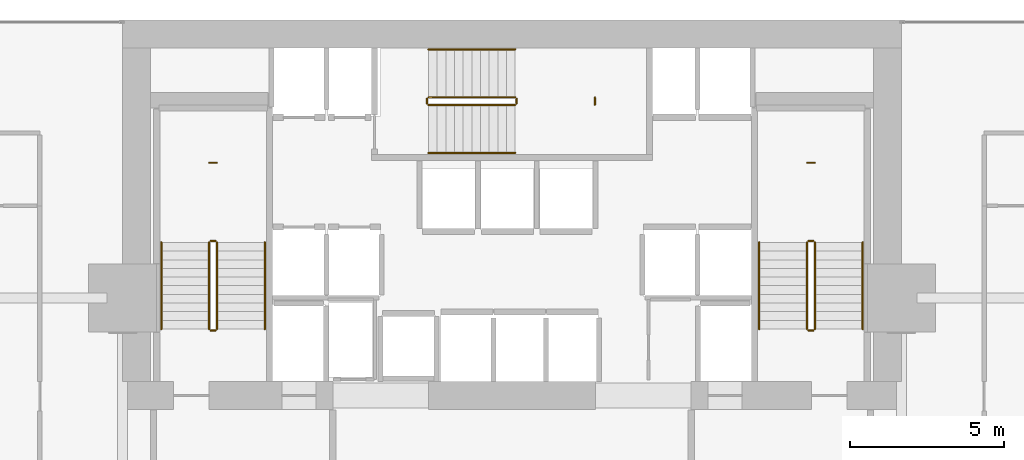
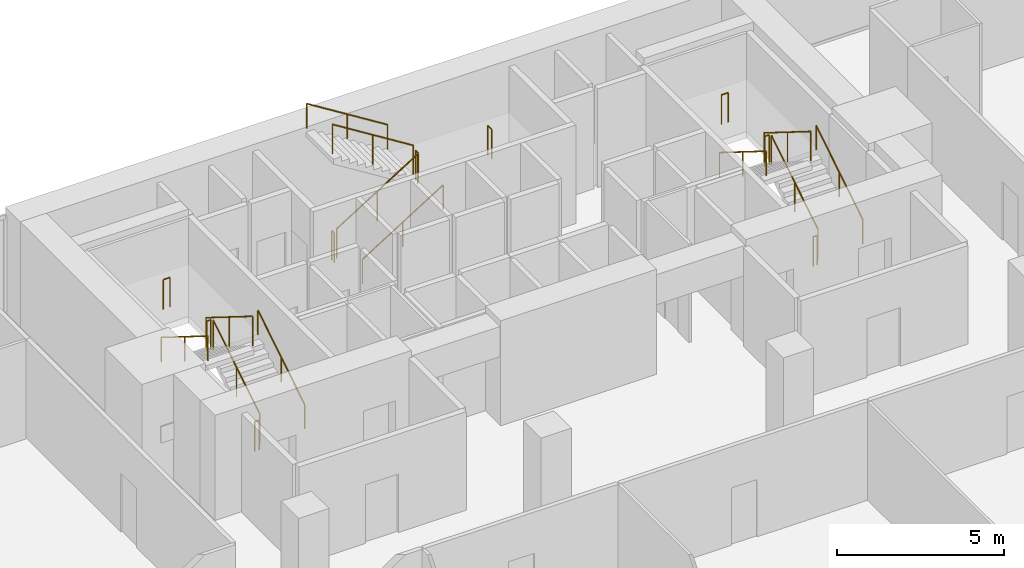
# One storey, part 39 of 39: 21 railings.
"""IFC4 building model written with IfcOpenShell, lengths in metres."""

from ifc_helpers import new_model, si_unit, direction, frame, origin, origin_2d, place, context, subcontext, project, spatial, circle, extrude, material, type_object, element, save


model = new_model("IFC4")

# Units and contexts
model_context = context("Model", 3, precision=1e-05, world=origin(), true_north=direction((0.0, 1.0)))
body_context = subcontext(model_context, "Body", "Model", "MODEL_VIEW")
ifc_project = project(units=[si_unit("LENGTHUNIT", "METRE"), si_unit("AREAUNIT", "SQUARE_METRE"), si_unit("VOLUMEUNIT", "CUBIC_METRE"), si_unit("PLANEANGLEUNIT", "RADIAN"), si_unit("MASSUNIT", "GRAM", prefix="KILO")], contexts=[model_context])

# Site, building, storey
site_placement = place(None, origin())
site = spatial("IfcSite", under=ifc_project, at=site_placement, CompositionType="ELEMENT")
building_placement = place(site_placement, origin())
building = spatial("IfcBuilding", under=site, at=building_placement, Name="Maruvema Waterfront Hotel and Observation Tower", CompositionType="ELEMENT")
storey_placement = place(building_placement, frame((0.0, 0.0, 69.300048828125)))
storey = spatial("IfcBuildingStorey", under=building, at=storey_placement, Name="L16", CompositionType="ELEMENT", Elevation=69.300048828125)

# Railings
ifc_material_1 = material(Name="Brushed stainless steel Grade 316", Category="steel")
railing_type_1 = type_object("IfcRailingType", Name="Ramp Continuous Wall Handrail 920 mm", PredefinedType="HANDRAIL", material=ifc_material_1)
railing_1_placement = place(storey_placement, frame((29.800048828125, 44.0, 0.175048828125)))
element("IfcRailing", 1, at=railing_1_placement, inside=storey, type_object=railing_type_1, Name="L16 ST-01 stair handrail 1", PredefinedType="HANDRAIL", context=body_context, shape_type="SweptSolid", body=[
    extrude(circle(Radius=0.02392578125, at=origin_2d()), frame((0.0, 0.0, 0.89599609375), z_axis=(0.0, 0.848002457836, 0.529992293815), x_axis=(-1.0, 0.0, 0.0)), (0.0, 0.0, 1.0), 3.302001953125),
    extrude(circle(Radius=0.02099609375, at=origin_2d()), origin(), (0.0, 0.0, 1.0), 0.871826171875),
    extrude(circle(Radius=0.02099609375, at=origin_2d()), frame((0.0, 1.39990234375, 0.875)), (0.0, 0.0, 1.0), 0.871826171875),
    extrude(circle(Radius=0.02099609375, at=origin_2d()), frame((0.0, 2.800048828125, 1.75)), (0.0, 0.0, 1.0), 0.871826171875),
])
railing_2_placement = place(storey_placement, frame((26.449951171875, 46.800048828125, 2.099853515625)))
element("IfcRailing", 2, at=railing_2_placement, inside=storey, type_object=railing_type_1, Name="L16 ST-01 stair handrail 2", PredefinedType="HANDRAIL", context=body_context, shape_type="SweptSolid", body=[
    extrude(circle(Radius=0.02392578125, at=origin_2d()), frame((0.0, 0.0, 0.89599609375), z_axis=(0.0, -0.848002457836, 0.529992293815), x_axis=(1.0, 0.0, 0.0)), (0.0, 0.0, 1.0), 3.302001953125),
    extrude(circle(Radius=0.02099609375, at=origin_2d()), origin(), (0.0, 0.0, 1.0), 0.871826171875),
    extrude(circle(Radius=0.02099609375, at=origin_2d()), frame((0.0, -1.39990234375, 0.875)), (0.0, 0.0, 1.0), 0.871826171875),
    extrude(circle(Radius=0.02099609375, at=origin_2d()), frame((0.0, -2.800048828125, 1.75)), (0.0, 0.0, 1.0), 0.871826171875),
])
railing_3_placement = place(storey_placement, frame((35.10009765625, 49.699951171875, 0.175048828125)))
element("IfcRailing", 3, at=railing_3_placement, inside=storey, type_object=railing_type_1, Name="L16 ST-02 stair handrail 1", PredefinedType="HANDRAIL", context=body_context, shape_type="SweptSolid", body=[
    extrude(circle(Radius=0.02392578125, at=origin_2d()), frame((0.0, 0.0, 0.89599609375), z_axis=(0.847981687118, 0.0, 0.530025526095), x_axis=(0.0, 1.0, 0.0)), (0.0, 0.0, 1.0), 3.3017578125),
    extrude(circle(Radius=0.02099609375, at=origin_2d()), origin(), (0.0, 0.0, 1.0), 0.871826171875),
    extrude(circle(Radius=0.02099609375, at=origin_2d()), frame((1.39990234375, 0.0, 0.875)), (0.0, 0.0, 1.0), 0.871826171875),
    extrude(circle(Radius=0.02099609375, at=origin_2d()), frame((2.7998046875, 0.0, 1.75)), (0.0, 0.0, 1.0), 0.871826171875),
])
railing_4_placement = place(storey_placement, frame((37.89990234375, 53.050048828125, 2.099853515625)))
element("IfcRailing", 4, at=railing_4_placement, inside=storey, type_object=railing_type_1, Name="L16 ST-02 stair handrail 2", PredefinedType="HANDRAIL", context=body_context, shape_type="SweptSolid", body=[
    extrude(circle(Radius=0.02392578125, at=origin_2d()), frame((0.0, 0.0, 0.89599609375), z_axis=(-0.847981687118, 0.0, 0.530025526095), x_axis=(0.0, -1.0, 0.0)), (0.0, 0.0, 1.0), 3.3017578125),
    extrude(circle(Radius=0.02099609375, at=origin_2d()), origin(), (0.0, 0.0, 1.0), 0.871826171875),
    extrude(circle(Radius=0.02099609375, at=origin_2d()), frame((-1.39990234375, 0.0, 0.875)), (0.0, 0.0, 1.0), 0.871826171875),
    extrude(circle(Radius=0.02099609375, at=origin_2d()), frame((-2.7998046875, 0.0, 1.75)), (0.0, 0.0, 1.0), 0.871826171875),
])
railing_5_placement = place(storey_placement, frame((49.14990234375, 44.0, 0.175048828125)))
element("IfcRailing", 5, at=railing_5_placement, inside=storey, type_object=railing_type_1, Name="L16 ST-03 stair handrail 1", PredefinedType="HANDRAIL", context=body_context, shape_type="SweptSolid", body=[
    extrude(circle(Radius=0.02392578125, at=origin_2d()), frame((0.0, 0.0, 0.89599609375), z_axis=(0.0, 0.848002457836, 0.529992293815), x_axis=(-1.0, 0.0, 0.0)), (0.0, 0.0, 1.0), 3.302001953125),
    extrude(circle(Radius=0.02099609375, at=origin_2d()), origin(), (0.0, 0.0, 1.0), 0.871826171875),
    extrude(circle(Radius=0.02099609375, at=origin_2d()), frame((0.0, 1.39990234375, 0.875)), (0.0, 0.0, 1.0), 0.871826171875),
    extrude(circle(Radius=0.02099609375, at=origin_2d()), frame((0.0, 2.800048828125, 1.75)), (0.0, 0.0, 1.0), 0.871826171875),
])
railing_6_placement = place(storey_placement, frame((45.800048828125, 46.800048828125, 2.099853515625)))
element("IfcRailing", 6, at=railing_6_placement, inside=storey, type_object=railing_type_1, Name="L16 ST-03 stair handrail 2", PredefinedType="HANDRAIL", context=body_context, shape_type="SweptSolid", body=[
    extrude(circle(Radius=0.02392578125, at=origin_2d()), frame((0.0, 0.0, 0.89599609375), z_axis=(0.0, -0.848002457836, 0.529992293815), x_axis=(1.0, 0.0, 0.0)), (0.0, 0.0, 1.0), 3.302001953125),
    extrude(circle(Radius=0.02099609375, at=origin_2d()), origin(), (0.0, 0.0, 1.0), 0.871826171875),
    extrude(circle(Radius=0.02099609375, at=origin_2d()), frame((0.0, -1.39990234375, 0.875)), (0.0, 0.0, 1.0), 0.871826171875),
    extrude(circle(Radius=0.02099609375, at=origin_2d()), frame((0.0, -2.800048828125, 1.75)), (0.0, 0.0, 1.0), 0.871826171875),
])
ifc_material_2 = material(Name="Brushed stainless steel Grade 316", Category="steel")
railing_type_2 = type_object("IfcRailingType", Name="Ramp and Terrace Guard Balustrade 1100 mm", PredefinedType="BALUSTRADE", material=ifc_material_2)
railing_7_placement = place(storey_placement, frame((28.25, 44.0, 0.175048828125)))
element("IfcRailing", 7, at=railing_7_placement, inside=storey, type_object=railing_type_2, Name="L16 ST-01 stair guard 1", PredefinedType="BALUSTRADE", context=body_context, shape_type="SweptSolid", body=[
    extrude(circle(Radius=0.02392578125, at=origin_2d()), frame((0.0, 0.0, 1.076171875), z_axis=(0.0, 0.848002457836, 0.529992293815), x_axis=(-1.0, 0.0, 0.0)), (0.0, 0.0, 1.0), 3.302001953125),
    extrude(circle(Radius=0.02099609375, at=origin_2d()), origin(), (0.0, 0.0, 1.0), 1.052001953125),
    extrude(circle(Radius=0.02099609375, at=origin_2d()), frame((0.0, 1.39990234375, 0.875)), (0.0, 0.0, 1.0), 1.052001953125),
    extrude(circle(Radius=0.02099609375, at=origin_2d()), frame((0.0, 2.800048828125, 1.75)), (0.0, 0.0, 1.0), 1.052001953125),
])
railing_8_placement = place(storey_placement, frame((28.199951171875, 46.85009765625, 1.925048828125)))
element("IfcRailing", 8, at=railing_8_placement, inside=storey, type_object=railing_type_2, Name="L16 ST-01 stair guard 2", PredefinedType="BALUSTRADE", context=body_context, shape_type="SweptSolid", body=[
    extrude(circle(Radius=0.02392578125, at=origin_2d()), frame((0.0, 0.0, 1.076171875), z_axis=(-1.0, 0.0, 0.0), x_axis=(0.0, -1.0, 0.0)), (0.0, 0.0, 1.0), 0.14990234375),
    extrude(circle(Radius=0.02099609375, at=origin_2d()), origin(), (0.0, 0.0, 1.0), 1.052001953125),
    extrude(circle(Radius=0.02099609375, at=origin_2d()), frame((-0.14990234375, 0.0, 0.0)), (0.0, 0.0, 1.0), 1.052001953125),
])
railing_9_placement = place(storey_placement, frame((28.0, 46.800048828125, 2.099853515625)))
element("IfcRailing", 9, at=railing_9_placement, inside=storey, type_object=railing_type_2, Name="L16 ST-01 stair guard 3", PredefinedType="BALUSTRADE", context=body_context, shape_type="SweptSolid", body=[
    extrude(circle(Radius=0.02392578125, at=origin_2d()), frame((0.0, 0.0, 1.076171875), z_axis=(0.0, -0.848002457836, 0.529992293815), x_axis=(1.0, 0.0, 0.0)), (0.0, 0.0, 1.0), 3.302001953125),
    extrude(circle(Radius=0.02099609375, at=origin_2d()), origin(), (0.0, 0.0, 1.0), 1.052001953125),
    extrude(circle(Radius=0.02099609375, at=origin_2d()), frame((0.0, -1.39990234375, 0.875)), (0.0, 0.0, 1.0), 1.052001953125),
    extrude(circle(Radius=0.02099609375, at=origin_2d()), frame((0.0, -2.800048828125, 1.75)), (0.0, 0.0, 1.0), 1.052001953125),
])
railing_10_placement = place(storey_placement, frame((28.199951171875, 43.949951171875, 0.0)))
element("IfcRailing", 10, at=railing_10_placement, inside=storey, type_object=railing_type_2, Name="L16 ST-01 stair guard 4", PredefinedType="BALUSTRADE", context=body_context, shape_type="SweptSolid", body=[
    extrude(circle(Radius=0.02392578125, at=origin_2d()), frame((0.0, 0.0, 1.076171875), z_axis=(-1.0, 0.0, 0.0), x_axis=(0.0, -1.0, 0.0)), (0.0, 0.0, 1.0), 0.14990234375),
    extrude(circle(Radius=0.02099609375, at=origin_2d()), origin(), (0.0, 0.0, 1.0), 1.052001953125),
    extrude(circle(Radius=0.02099609375, at=origin_2d()), frame((-0.14990234375, 0.0, 0.0)), (0.0, 0.0, 1.0), 1.052001953125),
])
railing_11_placement = place(storey_placement, frame((28.239990234375, 49.3798828125, 1.925048828125)))
element("IfcRailing", 11, at=railing_11_placement, inside=storey, type_object=railing_type_2, Name="L16 ST-01 Half-Landing Slot Guard", PredefinedType="BALUSTRADE", context=body_context, shape_type="SweptSolid", body=[
    extrude(circle(Radius=0.02392578125, at=origin_2d()), frame((0.0, 0.0, 1.076171875), z_axis=(-1.0, 0.0, 0.0), x_axis=(0.0, -1.0, 0.0)), (0.0, 0.0, 1.0), 0.22998046875),
    extrude(circle(Radius=0.02099609375, at=origin_2d()), origin(), (0.0, 0.0, 1.0), 1.052001953125),
    extrude(circle(Radius=0.02099609375, at=origin_2d()), frame((-0.22998046875, 0.0, 0.0)), (0.0, 0.0, 1.0), 1.052001953125),
])
railing_12_placement = place(storey_placement, frame((35.10009765625, 51.25, 0.175048828125)))
element("IfcRailing", 12, at=railing_12_placement, inside=storey, type_object=railing_type_2, Name="L16 ST-02 stair guard 1", PredefinedType="BALUSTRADE", context=body_context, shape_type="SweptSolid", body=[
    extrude(circle(Radius=0.02392578125, at=origin_2d()), frame((0.0, 0.0, 1.076171875), z_axis=(0.847981687118, 0.0, 0.530025526095), x_axis=(0.0, 1.0, 0.0)), (0.0, 0.0, 1.0), 3.3017578125),
    extrude(circle(Radius=0.02099609375, at=origin_2d()), origin(), (0.0, 0.0, 1.0), 1.052001953125),
    extrude(circle(Radius=0.02099609375, at=origin_2d()), frame((1.39990234375, 0.0, 0.875)), (0.0, 0.0, 1.0), 1.052001953125),
    extrude(circle(Radius=0.02099609375, at=origin_2d()), frame((2.7998046875, 0.0, 1.75)), (0.0, 0.0, 1.0), 1.052001953125),
])
railing_13_placement = place(storey_placement, frame((37.949951171875, 51.300048828125, 1.925048828125)))
element("IfcRailing", 13, at=railing_13_placement, inside=storey, type_object=railing_type_2, Name="L16 ST-02 stair guard 2", PredefinedType="BALUSTRADE", context=body_context, shape_type="SweptSolid", body=[
    extrude(circle(Radius=0.02392578125, at=origin_2d()), frame((0.0, 0.0, 1.076171875), z_axis=(0.0, 1.0, 0.0), x_axis=(-1.0, 0.0, 0.0)), (0.0, 0.0, 1.0), 0.14990234375),
    extrude(circle(Radius=0.02099609375, at=origin_2d()), origin(), (0.0, 0.0, 1.0), 1.052001953125),
    extrude(circle(Radius=0.02099609375, at=origin_2d()), frame((0.0, 0.14990234375, 0.0)), (0.0, 0.0, 1.0), 1.052001953125),
])
railing_14_placement = place(storey_placement, frame((37.89990234375, 51.5, 2.099853515625)))
element("IfcRailing", 14, at=railing_14_placement, inside=storey, type_object=railing_type_2, Name="L16 ST-02 stair guard 3", PredefinedType="BALUSTRADE", context=body_context, shape_type="SweptSolid", body=[
    extrude(circle(Radius=0.02392578125, at=origin_2d()), frame((0.0, 0.0, 1.076171875), z_axis=(-0.847981687118, 0.0, 0.530025526095), x_axis=(0.0, -1.0, 0.0)), (0.0, 0.0, 1.0), 3.3017578125),
    extrude(circle(Radius=0.02099609375, at=origin_2d()), origin(), (0.0, 0.0, 1.0), 1.052001953125),
    extrude(circle(Radius=0.02099609375, at=origin_2d()), frame((-1.39990234375, 0.0, 0.875)), (0.0, 0.0, 1.0), 1.052001953125),
    extrude(circle(Radius=0.02099609375, at=origin_2d()), frame((-2.7998046875, 0.0, 1.75)), (0.0, 0.0, 1.0), 1.052001953125),
])
railing_15_placement = place(storey_placement, frame((35.050048828125, 51.300048828125, 0.0)))
element("IfcRailing", 15, at=railing_15_placement, inside=storey, type_object=railing_type_2, Name="L16 ST-02 stair guard 4", PredefinedType="BALUSTRADE", context=body_context, shape_type="SweptSolid", body=[
    extrude(circle(Radius=0.02392578125, at=origin_2d()), frame((0.0, 0.0, 1.076171875), z_axis=(0.0, 1.0, 0.0), x_axis=(-1.0, 0.0, 0.0)), (0.0, 0.0, 1.0), 0.14990234375),
    extrude(circle(Radius=0.02099609375, at=origin_2d()), origin(), (0.0, 0.0, 1.0), 1.052001953125),
    extrude(circle(Radius=0.02099609375, at=origin_2d()), frame((0.0, 0.14990234375, 0.0)), (0.0, 0.0, 1.0), 1.052001953125),
])
railing_16_placement = place(storey_placement, frame((40.47998046875, 51.260009765625, 1.925048828125)))
element("IfcRailing", 16, at=railing_16_placement, inside=storey, type_object=railing_type_2, Name="L16 ST-02 Half-Landing Slot Guard", PredefinedType="BALUSTRADE", context=body_context, shape_type="SweptSolid", body=[
    extrude(circle(Radius=0.02392578125, at=origin_2d()), frame((0.0, 0.0, 1.076171875), z_axis=(0.0, 1.0, 0.0), x_axis=(-1.0, 0.0, 0.0)), (0.0, 0.0, 1.0), 0.22998046875),
    extrude(circle(Radius=0.02099609375, at=origin_2d()), origin(), (0.0, 0.0, 1.0), 1.052001953125),
    extrude(circle(Radius=0.02099609375, at=origin_2d()), frame((0.0, 0.22998046875, 0.0)), (0.0, 0.0, 1.0), 1.052001953125),
])
railing_17_placement = place(storey_placement, frame((47.60009765625, 44.0, 0.175048828125)))
element("IfcRailing", 17, at=railing_17_placement, inside=storey, type_object=railing_type_2, Name="L16 ST-03 stair guard 1", PredefinedType="BALUSTRADE", context=body_context, shape_type="SweptSolid", body=[
    extrude(circle(Radius=0.02392578125, at=origin_2d()), frame((0.0, 0.0, 1.076171875), z_axis=(0.0, 0.848002457836, 0.529992293815), x_axis=(-1.0, 0.0, 0.0)), (0.0, 0.0, 1.0), 3.302001953125),
    extrude(circle(Radius=0.02099609375, at=origin_2d()), origin(), (0.0, 0.0, 1.0), 1.052001953125),
    extrude(circle(Radius=0.02099609375, at=origin_2d()), frame((0.0, 1.39990234375, 0.875)), (0.0, 0.0, 1.0), 1.052001953125),
    extrude(circle(Radius=0.02099609375, at=origin_2d()), frame((0.0, 2.800048828125, 1.75)), (0.0, 0.0, 1.0), 1.052001953125),
])
railing_18_placement = place(storey_placement, frame((47.550048828125, 46.85009765625, 1.925048828125)))
element("IfcRailing", 18, at=railing_18_placement, inside=storey, type_object=railing_type_2, Name="L16 ST-03 stair guard 2", PredefinedType="BALUSTRADE", context=body_context, shape_type="SweptSolid", body=[
    extrude(circle(Radius=0.02392578125, at=origin_2d()), frame((0.0, 0.0, 1.076171875), z_axis=(-1.0, 0.0, 0.0), x_axis=(0.0, -1.0, 0.0)), (0.0, 0.0, 1.0), 0.150146484375),
    extrude(circle(Radius=0.02099609375, at=origin_2d()), origin(), (0.0, 0.0, 1.0), 1.052001953125),
    extrude(circle(Radius=0.02099609375, at=origin_2d()), frame((-0.150146484375, 0.0, 0.0)), (0.0, 0.0, 1.0), 1.052001953125),
])
railing_19_placement = place(storey_placement, frame((47.35009765625, 46.800048828125, 2.099853515625)))
element("IfcRailing", 19, at=railing_19_placement, inside=storey, type_object=railing_type_2, Name="L16 ST-03 stair guard 3", PredefinedType="BALUSTRADE", context=body_context, shape_type="SweptSolid", body=[
    extrude(circle(Radius=0.02392578125, at=origin_2d()), frame((0.0, 0.0, 1.076171875), z_axis=(0.0, -0.848002457836, 0.529992293815), x_axis=(1.0, 0.0, 0.0)), (0.0, 0.0, 1.0), 3.302001953125),
    extrude(circle(Radius=0.02099609375, at=origin_2d()), origin(), (0.0, 0.0, 1.0), 1.052001953125),
    extrude(circle(Radius=0.02099609375, at=origin_2d()), frame((0.0, -1.39990234375, 0.875)), (0.0, 0.0, 1.0), 1.052001953125),
    extrude(circle(Radius=0.02099609375, at=origin_2d()), frame((0.0, -2.800048828125, 1.75)), (0.0, 0.0, 1.0), 1.052001953125),
])
railing_20_placement = place(storey_placement, frame((47.550048828125, 43.949951171875, 0.0)))
element("IfcRailing", 20, at=railing_20_placement, inside=storey, type_object=railing_type_2, Name="L16 ST-03 stair guard 4", PredefinedType="BALUSTRADE", context=body_context, shape_type="SweptSolid", body=[
    extrude(circle(Radius=0.02392578125, at=origin_2d()), frame((0.0, 0.0, 1.076171875), z_axis=(-1.0, 0.0, 0.0), x_axis=(0.0, -1.0, 0.0)), (0.0, 0.0, 1.0), 0.150146484375),
    extrude(circle(Radius=0.02099609375, at=origin_2d()), origin(), (0.0, 0.0, 1.0), 1.052001953125),
    extrude(circle(Radius=0.02099609375, at=origin_2d()), frame((-0.150146484375, 0.0, 0.0)), (0.0, 0.0, 1.0), 1.052001953125),
])
railing_21_placement = place(storey_placement, frame((47.590087890625, 49.3798828125, 1.925048828125)))
element("IfcRailing", 21, at=railing_21_placement, inside=storey, type_object=railing_type_2, Name="L16 ST-03 Half-Landing Slot Guard", PredefinedType="BALUSTRADE", context=body_context, shape_type="SweptSolid", body=[
    extrude(circle(Radius=0.02392578125, at=origin_2d()), frame((0.0, 0.0, 1.076171875), z_axis=(-1.0, 0.0, 0.0), x_axis=(0.0, -1.0, 0.0)), (0.0, 0.0, 1.0), 0.22998046875),
    extrude(circle(Radius=0.02099609375, at=origin_2d()), origin(), (0.0, 0.0, 1.0), 1.052001953125),
    extrude(circle(Radius=0.02099609375, at=origin_2d()), frame((-0.22998046875, 0.0, 0.0)), (0.0, 0.0, 1.0), 1.052001953125),
])

save(model, "model.ifc")
